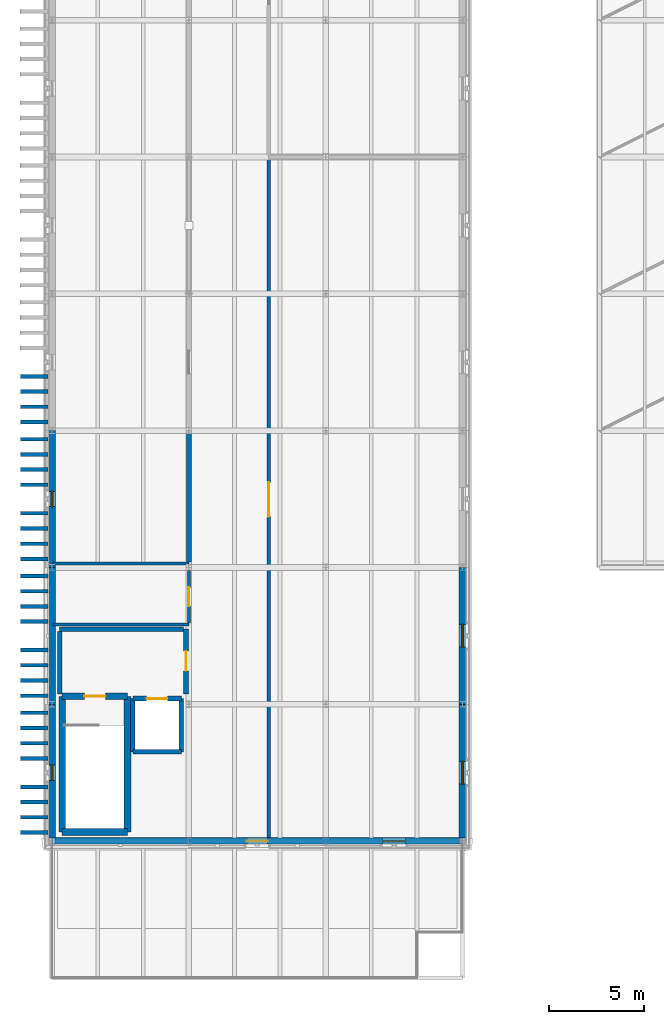
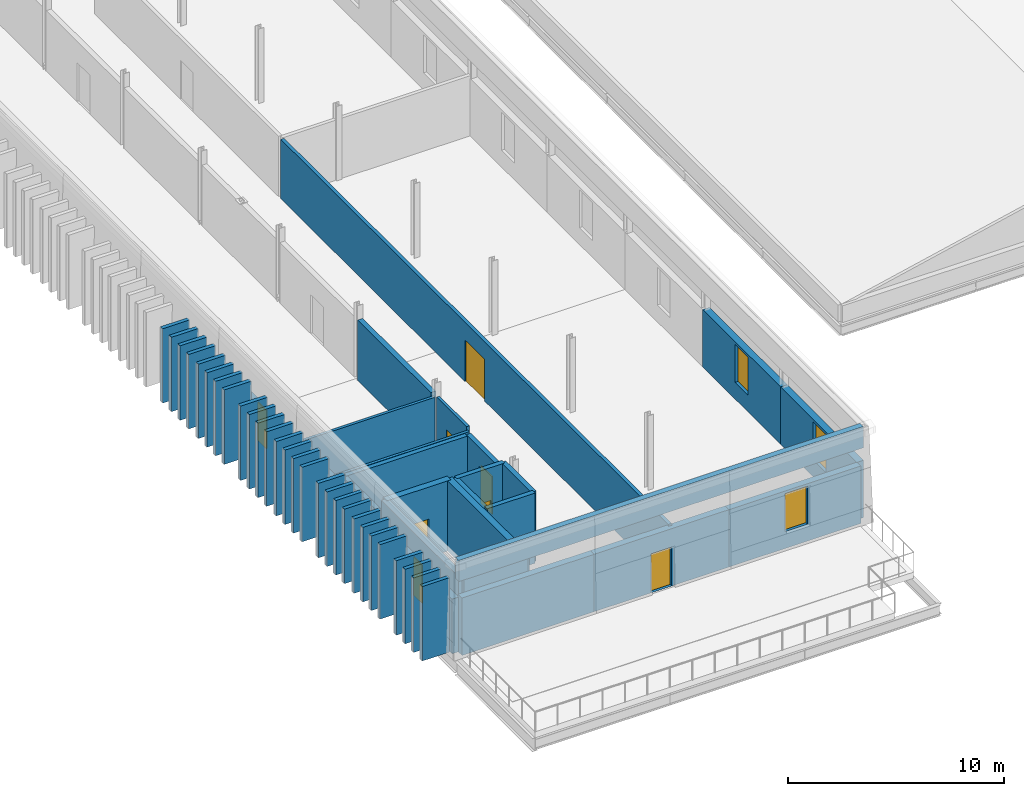
# One storey, part 31 of 44: 53 walls, 6 doors, 5 windows, 11 openings.
"""IFC4 building model written with IfcOpenShell, lengths in metres."""

from ifc_helpers import new_model, si_unit, direction, frame, frame_2d, origin, place, context, subcontext, project, spatial, rectangle, extrude, material, layer, layer_set, type_object, element, fill, save


model = new_model("IFC4")

# Units and contexts
model_context = context("Model", 3, precision=1e-05, world=origin(), true_north=direction((0.0, 1.0)))
body_context = subcontext(model_context, "Body", "Model", "MODEL_VIEW")
ifc_project = project(units=[si_unit("LENGTHUNIT", "METRE"), si_unit("AREAUNIT", "SQUARE_METRE"), si_unit("VOLUMEUNIT", "CUBIC_METRE"), si_unit("PLANEANGLEUNIT", "RADIAN"), si_unit("MASSUNIT", "GRAM", prefix="KILO")], contexts=[model_context])

# Site, building, storey
site_placement = place(None, origin())
site = spatial("IfcSite", under=ifc_project, at=site_placement, CompositionType="ELEMENT")
building_placement = place(site_placement, origin())
building = spatial("IfcBuilding", under=site, at=building_placement, Name="Narikvali Park Central Library", CompositionType="ELEMENT")
storey_placement = place(building_placement, frame((0.0, 0.0, 22.800048828125)))
storey = spatial("IfcBuildingStorey", under=building, at=storey_placement, Name="L05", CompositionType="ELEMENT", Elevation=22.800048828125)

# Wall, opening, door
ifc_material_1 = material(Name="Autoclaved Concrete Blockwork C25/30", Category="masonry")
ifc_layer_1 = layer(ifc_material_1, 0.239990234375, Name="Autoclaved Concrete Blockwork C25/30")
ifc_layer_set_1 = layer_set([ifc_layer_1], Name="Autoclaved Concrete Blockwork C25/30")
wall_type_1 = type_object("IfcWallType", Name="Fire Compartment Concrete Block Wall 240", PredefinedType="SOLIDWALL", material=ifc_layer_set_1)
wall_1_placement = place(storey_placement, frame((7.050048828125, 50.949951171875, 0.0), z_axis=(0.0, 0.0, 1.0), x_axis=(0.0, 1.0, 0.0)))
wall_1 = element("IfcWall", 1, at=wall_1_placement, inside=storey, type_object=wall_type_1, Name="C5A L05 Firefighting Lobby Wall E", PredefinedType="SOLIDWALL", context=body_context, shape_type="SweptSolid", body=[
    extrude(rectangle(XDim=3.400146484375, YDim=0.239990234375, at=frame_2d((1.7001953125, 0.0))), origin(), (0.0, 0.0, 1.0), 3.219970703125),
])
opening_1_placement = place(wall_1_placement, frame((1.199951171875, 0.0, 0.0)))
opening_1 = element("IfcOpeningElement", 2, at=opening_1_placement, cuts=wall_1, Name="Opening FF-049", PredefinedType="OPENING", context=body_context, shape_type="SweptSolid", body=[
    extrude(rectangle(XDim=1.050048828125, YDim=2.14990234375, at=frame_2d((0.52490234375, 1.074951171875))), frame((0.0, 0.1318359375, 0.0), z_axis=(0.0, -1.0, 0.0), x_axis=(1.0, 0.0, 0.0)), (0.0, 0.0, 1.0), 0.263916015625),
])
ifc_material_2 = material(Name="Powder-Coated Steel S275 Fire Leaf", Category="steel")
door_type_1 = type_object("IfcDoorType", Name="Firefighting Lobby Single Fire Door 1050x2150", OperationType="SINGLE_SWING_RIGHT", PredefinedType="DOOR", material=ifc_material_2)
door_1_placement = place(opening_1_placement, frame((1.050048828125, 0.0, 0.0), z_axis=(0.0, 0.0, 1.0), x_axis=(-1.0, 0.0, 0.0)))
door_1 = element("IfcDoor", 3, at=door_1_placement, inside=storey, type_object=door_type_1, Name="FF-01 L05 Firefighting Lobby Corridor Door", OperationType="SINGLE_SWING_RIGHT", OverallHeight=2.14990234375, OverallWidth=1.050048828125, PredefinedType="DOOR", context=body_context, shape_type="SweptSolid", body=[
    extrude(rectangle(XDim=1.050048828125, YDim=2.14990234375, at=frame_2d((0.52490234375, 1.074951171875))), frame((0.0, 0.02490234375, 0.0), z_axis=(0.0, -1.0, 0.0), x_axis=(1.0, 0.0, 0.0)), (0.0, 0.0, 1.0), 0.050048828125),
])
fill(opening_1, door_1)

# Walls
wall_2_placement = place(storey_placement, frame((0.39990234375, 54.35009765625, 0.0), z_axis=(0.0, 0.0, 1.0), x_axis=(1.0, 0.0, 0.0)))
element("IfcWall", 4, at=wall_2_placement, inside=storey, type_object=wall_type_1, Name="C5A L05 Firefighting Lobby Wall N", PredefinedType="SOLIDWALL", context=body_context, shape_type="SweptSolid", body=[
    extrude(rectangle(XDim=6.52001953125, YDim=0.239990234375, at=frame_2d((3.260009765625, 0.0))), origin(), (0.0, 0.0, 1.0), 3.219970703125),
])
wall_3_placement = place(storey_placement, frame((0.39990234375, 50.949951171875, 0.0), z_axis=(0.0, 0.0, 1.0), x_axis=(0.0, 1.0, 0.0)))
element("IfcWall", 5, at=wall_3_placement, inside=storey, type_object=wall_type_1, Name="C5A L05 Firefighting Lobby Wall W", PredefinedType="SOLIDWALL", context=body_context, shape_type="SweptSolid", body=[
    extrude(rectangle(XDim=3.27001953125, YDim=0.239990234375, at=frame_2d((1.635009765625, 0.0))), origin(), (0.0, 0.0, 1.0), 3.219970703125),
])
ifc_material_3 = material(Name="Kiln-Fired Terracotta Red Brick Masonry", Category="masonry")
ifc_layer_2 = layer(ifc_material_3, 0.199951171875, Name="Kiln-Fired Terracotta Red Brick Masonry")
ifc_layer_set_2 = layer_set([ifc_layer_2], Name="Kiln-Fired Terracotta Red Brick Masonry")
wall_type_2 = type_object("IfcWallType", Name="Kiln-Fired Red Brick Vertical Fin Wall 200", PredefinedType="SOLIDWALL", material=ifc_layer_set_2)
for number, where, z_axis, x_axis, name in (
    (6, (-1.659912109375, 43.64990234375, 0.0), (0.0, 0.0, 1.0), (1.0, 0.0, 0.0), "West Stacks Red Brick Vertical Fin Pier 078"),
    (7, (-1.659912109375, 44.449951171875, 0.0), (0.0, 0.0, 1.0), (1.0, 0.0, 0.0), "West Stacks Red Brick Vertical Fin Pier 084"),
    (8, (-1.659912109375, 45.25, 0.0), (0.0, 0.0, 1.0), (1.0, 0.0, 0.0), "West Stacks Red Brick Vertical Fin Pier 090"),
    (9, (-1.659912109375, 46.050048828125, 0.0), (0.0, 0.0, 1.0), (1.0, 0.0, 0.0), "West Stacks Red Brick Vertical Fin Pier 096"),
    (10, (-1.659912109375, 47.550048828125, 0.0), (0.0, 0.0, 1.0), (1.0, 0.0, 0.0), "West Stacks Red Brick Vertical Fin Pier 102"),
    (11, (-1.659912109375, 48.35009765625, 0.0), (0.0, 0.0, 1.0), (1.0, 0.0, 0.0), "West Stacks Red Brick Vertical Fin Pier 108"),
    (12, (-1.659912109375, 49.14990234375, 0.0), (0.0, 0.0, 1.0), (1.0, 0.0, 0.0), "West Stacks Red Brick Vertical Fin Pier 114"),
    (13, (-1.659912109375, 49.949951171875, 0.0), (0.0, 0.0, 1.0), (1.0, 0.0, 0.0), "West Stacks Red Brick Vertical Fin Pier 120"),
    (14, (-1.659912109375, 50.85009765625, 0.0), (0.0, 0.0, 1.0), (1.0, 0.0, 0.0), "West Stacks Red Brick Vertical Fin Pier 126"),
    (15, (-1.659912109375, 51.64990234375, 0.0), (0.0, 0.0, 1.0), (1.0, 0.0, 0.0), "West Stacks Red Brick Vertical Fin Pier 132"),
    (16, (-1.659912109375, 52.449951171875, 0.0), (0.0, 0.0, 1.0), (1.0, 0.0, 0.0), "West Stacks Red Brick Vertical Fin Pier 138"),
    (17, (-1.659912109375, 53.25, 0.0), (0.0, 0.0, 1.0), (1.0, 0.0, 0.0), "West Stacks Red Brick Vertical Fin Pier 144"),
    (18, (-1.659912109375, 54.75, 0.0), (0.0, 0.0, 1.0), (1.0, 0.0, 0.0), "West Stacks Red Brick Vertical Fin Pier 150"),
    (19, (-1.659912109375, 55.550048828125, 0.0), (0.0, 0.0, 1.0), (1.0, 0.0, 0.0), "West Stacks Red Brick Vertical Fin Pier 156"),
    (20, (-1.659912109375, 56.35009765625, 0.0), (0.0, 0.0, 1.0), (1.0, 0.0, 0.0), "West Stacks Red Brick Vertical Fin Pier 162"),
    (21, (-1.659912109375, 57.14990234375, 0.0), (0.0, 0.0, 1.0), (1.0, 0.0, 0.0), "West Stacks Red Brick Vertical Fin Pier 168"),
    (22, (-1.659912109375, 58.050048828125, 0.0), (0.0, 0.0, 1.0), (1.0, 0.0, 0.0), "West Stacks Red Brick Vertical Fin Pier 174"),
    (23, (-1.659912109375, 58.85009765625, 0.0), (0.0, 0.0, 1.0), (1.0, 0.0, 0.0), "West Stacks Red Brick Vertical Fin Pier 180"),
    (24, (-1.659912109375, 59.64990234375, 0.0), (0.0, 0.0, 1.0), (1.0, 0.0, 0.0), "West Stacks Red Brick Vertical Fin Pier 186"),
    (25, (-1.659912109375, 60.449951171875, 0.0), (0.0, 0.0, 1.0), (1.0, 0.0, 0.0), "West Stacks Red Brick Vertical Fin Pier 192"),
    (26, (-1.659912109375, 61.949951171875, 0.0), (0.0, 0.0, 1.0), (1.0, 0.0, 0.0), "West Stacks Red Brick Vertical Fin Pier 198"),
    (27, (-1.659912109375, 62.75, 0.0), (0.0, 0.0, 1.0), (1.0, 0.0, 0.0), "West Stacks Red Brick Vertical Fin Pier 204"),
    (28, (-1.659912109375, 63.550048828125, 0.0), (0.0, 0.0, 1.0), (1.0, 0.0, 0.0), "West Stacks Red Brick Vertical Fin Pier 210"),
    (29, (-1.659912109375, 64.35009765625, 0.0), (0.0, 0.0, 1.0), (1.0, 0.0, 0.0), "West Stacks Red Brick Vertical Fin Pier 216"),
    (30, (-1.659912109375, 65.25, 0.0), (0.0, 0.0, 1.0), (1.0, 0.0, 0.0), "West Stacks Red Brick Vertical Fin Pier 222"),
    (31, (-1.659912109375, 66.050048828125, 0.0), (0.0, 0.0, 1.0), (1.0, 0.0, 0.0), "West Stacks Red Brick Vertical Fin Pier 228"),
    (32, (-1.659912109375, 66.85009765625, 0.0), (0.0, 0.0, 1.0), (1.0, 0.0, 0.0), "West Stacks Red Brick Vertical Fin Pier 234"),
    (33, (-1.659912109375, 67.64990234375, 0.0), (0.0, 0.0, 1.0), (1.0, 0.0, 0.0), "West Stacks Red Brick Vertical Fin Pier 240"),
):
    element("IfcWall", number, at=place(storey_placement, frame(where, z_axis=z_axis, x_axis=x_axis)), inside=storey, type_object=wall_type_2, Name=name, PredefinedType="SOLIDWALL", context=body_context, shape_type="SweptSolid", body=[
        extrude(rectangle(XDim=1.43994140625, YDim=0.199951171875, at=frame_2d((0.719970703125, 0.0))), origin(), (0.0, 0.0, 1.0), 4.199951171875),
    ])
ifc_material_4 = material(Name="White Honed Limestone over Concrete C35/45", Category="masonry")
ifc_layer_3 = layer(ifc_material_4, 0.300048828125, Name="White Honed Limestone over Concrete C35/45")
ifc_layer_set_3 = layer_set([ifc_layer_3], Name="White Honed Limestone over Concrete C35/45")
wall_type_3 = type_object("IfcWallType", Name="Limestone Coping Parapet Wall 300", PredefinedType="PARAPET", material=ifc_layer_set_3)
wall_4_placement = place(storey_placement, frame((0.0, 43.199951171875, 4.199951171875), z_axis=(0.0, 0.0, 1.0), x_axis=(1.0, 0.0, 0.0)))
element("IfcWall", 34, at=wall_4_placement, inside=storey, type_object=wall_type_3, Name="V5 Roof Roof Limestone Parapet S", PredefinedType="PARAPET", context=body_context, shape_type="SweptSolid", body=[
    extrude(rectangle(XDim=21.60009765625, YDim=0.300048828125, at=frame_2d((10.800048828125, 0.0))), origin(), (0.0, 0.0, 1.0), 1.199951171875),
])
ifc_material_5 = material(Name="Moisture-Resistant Cement Board on Steel Studs", Category="steel")
ifc_layer_4 = layer(ifc_material_5, 0.14990234375, Name="Moisture-Resistant Cement Board on Steel Studs")
ifc_layer_set_4 = layer_set([ifc_layer_4], Name="Moisture-Resistant Cement Board on Steel Studs")
wall_type_4 = type_object("IfcWallType", Name="Moisture-Resistant WC Partition 150", PredefinedType="PARTITIONING", material=ifc_layer_set_4)
for number, where, z_axis, x_axis, name in (
    (35, (0.054931640625, 54.60009765625, 0.0), (0.0, 0.0, 1.0), (1.0, 0.0, 0.0), "Stacks Wing Accessible WC L05 Partition S"),
    (36, (0.054931640625, 57.800048828125, 0.0), (0.0, 0.0, 1.0), (1.0, 0.0, 0.0), "Stacks Wing Accessible WC L05 Partition N"),
):
    element("IfcWall", number, at=place(storey_placement, frame(where, z_axis=z_axis, x_axis=x_axis)), inside=storey, type_object=wall_type_4, Name=name, PredefinedType="PARTITIONING", context=body_context, shape_type="SweptSolid", body=[
        extrude(rectangle(XDim=7.14501953125, YDim=0.14990234375, at=frame_2d((3.572509765625, 0.0))), origin(), (0.0, 0.0, 1.0), 3.19189453125),
    ])

# Wall, opening, door
wall_5_placement = place(storey_placement, frame((7.199951171875, 54.677001953125, 0.0), z_axis=(0.0, 0.0, 1.0), x_axis=(0.0, 1.0, 0.0)))
wall_5 = element("IfcWall", 37, at=wall_5_placement, inside=storey, type_object=wall_type_4, Name="Stacks Wing Accessible WC L05 Partition E", PredefinedType="PARTITIONING", context=body_context, shape_type="SweptSolid", body=[
    extrude(rectangle(XDim=2.759033203125, YDim=0.14990234375, at=frame_2d((1.37939453125, 0.0))), origin(), (0.0, 0.0, 1.0), 3.405029296875),
])
opening_2_placement = place(wall_5_placement, frame((0.889404296875, 0.0, 0.0)))
opening_2 = element("IfcOpeningElement", 38, at=opening_2_placement, cuts=wall_5, Name="Opening ID-0023", PredefinedType="OPENING", context=body_context, shape_type="SweptSolid", body=[
    extrude(rectangle(XDim=0.97998046875, YDim=2.10009765625, at=frame_2d((0.489990234375, 1.050048828125))), frame((0.0, 0.0869140625, 0.0), z_axis=(0.0, -1.0, 0.0), x_axis=(1.0, 0.0, 0.0)), (0.0, 0.0, 1.0), 0.173828125),
])
ifc_material_6 = material(Name="Laminate Faced Hardwood Core", Category="wood")
door_type_2 = type_object("IfcDoorType", Name="Accessible WC Outward-Opening Door 980x2100", OperationType="SINGLE_SWING_RIGHT", PredefinedType="DOOR", material=ifc_material_6)
door_2_placement = place(opening_2_placement, frame((0.97998046875, 0.0, 0.0), z_axis=(0.0, 0.0, 1.0), x_axis=(-1.0, 0.0, 0.0)))
door_2 = element("IfcDoor", 39, at=door_2_placement, inside=storey, type_object=door_type_2, Name="Stacks Wing Accessible WC L05 Door ID-0023", OperationType="SINGLE_SWING_LEFT", OverallHeight=2.10009765625, OverallWidth=0.97998046875, PredefinedType="DOOR", context=body_context, shape_type="SweptSolid", body=[
    extrude(rectangle(XDim=0.97998046875, YDim=2.10009765625, at=frame_2d((0.489990234375, 1.050048828125))), frame((0.0, 0.02490234375, 0.0), z_axis=(0.0, -1.0, 0.0), x_axis=(1.0, 0.0, 0.0)), (0.0, 0.0, 1.0), 0.050048828125),
])
fill(opening_2, door_2)

# Wall
ifc_material_7 = material(Name="High-Density Concrete Blockwork C35/45", Category="masonry")
ifc_layer_5 = layer(ifc_material_7, 0.27001953125, Name="High-Density Concrete Blockwork C35/45")
ifc_layer_set_5 = layer_set([ifc_layer_5], Name="High-Density Concrete Blockwork C35/45")
wall_type_5 = type_object("IfcWallType", Name="Rare Books Vault Partition Wall 270", PredefinedType="SOLIDWALL", material=ifc_layer_set_5)
wall_6_placement = place(storey_placement, frame((7.199951171875, 57.876953125, 0.0), z_axis=(0.0, 0.0, 1.0), x_axis=(0.0, 1.0, 0.0)))
element("IfcWall", 40, at=wall_6_placement, inside=storey, type_object=wall_type_5, Name="Rare Books Climate Vault L05 Partition E", PredefinedType="SOLIDWALL", context=body_context, shape_type="SweptSolid", body=[
    extrude(rectangle(XDim=6.759033203125, YDim=0.27001953125, at=frame_2d((3.37939453125, 0.0))), origin(), (0.0, 0.0, 1.0), 3.405029296875),
])

# Wall, opening, door
ifc_material_8 = material(Name="Acoustic Gypsum on Steel Studs", Category="steel")
ifc_layer_6 = layer(ifc_material_8, 0.179931640625, Name="Acoustic Gypsum on Steel Studs")
ifc_layer_set_6 = layer_set([ifc_layer_6], Name="Acoustic Gypsum on Steel Studs")
wall_type_6 = type_object("IfcWallType", Name="Reading Room Acoustic Partition 180", PredefinedType="PARTITIONING", material=ifc_layer_set_6)
wall_7_placement = place(storey_placement, frame((11.39990234375, 43.2548828125, 0.0), z_axis=(0.0, 0.0, 1.0), x_axis=(0.0, 1.0, 0.0)))
wall_7 = element("IfcWall", 41, at=wall_7_placement, inside=storey, type_object=wall_type_6, Name="Rare Books Supervised Reading Room Partition W", PredefinedType="PARTITIONING", context=body_context, shape_type="SweptSolid", body=[
    extrude(rectangle(XDim=35.84814453125, YDim=0.179931640625, at=frame_2d((17.924072265625, 0.0))), origin(), (0.0, 0.0, 1.0), 3.344970703125),
])
opening_3_placement = place(wall_7_placement, frame((17.02392578125, 0.0, 0.0)))
opening_3 = element("IfcOpeningElement", 42, at=opening_3_placement, cuts=wall_7, Name="Opening ID-0139", PredefinedType="OPENING", context=body_context, shape_type="SweptSolid", body=[
    extrude(rectangle(XDim=1.800048828125, YDim=2.35009765625, at=frame_2d((0.89990234375, 1.175048828125))), frame((0.0, 0.10205078125, 0.0), z_axis=(0.0, -1.0, 0.0), x_axis=(1.0, 0.0, 0.0)), (0.0, 0.0, 1.0), 0.203857421875),
])
ifc_material_9 = material(Name="Solid Caucasian Oak and Acoustic Glass", Category="glass")
door_type_3 = type_object("IfcDoorType", Name="Reading Hall Double Oak Acoustic Door 1800x2350", OperationType="DOUBLE_DOOR_SINGLE_SWING", PredefinedType="DOOR", material=ifc_material_9)
door_3_placement = place(opening_3_placement, frame((1.800048828125, 0.0, 0.0), z_axis=(0.0, 0.0, 1.0), x_axis=(-1.0, 0.0, 0.0)))
door_3 = element("IfcDoor", 43, at=door_3_placement, inside=storey, type_object=door_type_3, Name="Rare Books Supervised Reading Room Door ID-0139", OperationType="DOUBLE_DOOR_SINGLE_SWING", OverallHeight=2.35009765625, OverallWidth=1.800048828125, PredefinedType="DOOR", context=body_context, shape_type="SweptSolid", body=[
    extrude(rectangle(XDim=1.800048828125, YDim=2.35009765625, at=frame_2d((0.89990234375, 1.175048828125))), frame((0.0, 0.02490234375, 0.0), z_axis=(0.0, -1.0, 0.0), x_axis=(1.0, 0.0, 0.0)), (0.0, 0.0, 1.0), 0.050048828125),
])
fill(opening_3, door_3)

# Walls
ifc_material_10 = material(Name="Concrete C40/50", Category="concrete")
ifc_layer_7 = layer(ifc_material_10, 0.35009765625, Name="Concrete C40/50")
ifc_layer_set_7 = layer_set([ifc_layer_7], Name="Concrete C40/50")
wall_type_7 = type_object("IfcWallType", Name="Reinforced Concrete Core Shear Wall 350", PredefinedType="SHEAR", material=ifc_layer_set_7)
wall_8_placement = place(storey_placement, frame((0.530029296875, 43.679931640625, 0.0), z_axis=(0.0, 0.0, 1.0), x_axis=(1.0, 0.0, 0.0)))
element("IfcWall", 44, at=wall_8_placement, inside=storey, type_object=wall_type_7, Name="C5A L05 Stair Core Shear Wall S", PredefinedType="SHEAR", context=body_context, shape_type="SweptSolid", body=[
    extrude(rectangle(XDim=3.43994140625, YDim=0.35009765625, at=frame_2d((1.719970703125, 0.0))), origin(), (0.0, 0.0, 1.0), 3.9599609375),
])
wall_9_placement = place(storey_placement, frame((3.969970703125, 43.679931640625, 0.0), z_axis=(0.0, 0.0, 1.0), x_axis=(0.0, 1.0, 0.0)))
element("IfcWall", 45, at=wall_9_placement, inside=storey, type_object=wall_type_7, Name="C5A L05 Stair Core Shear Wall E", PredefinedType="SHEAR", context=body_context, shape_type="SweptSolid", body=[
    extrude(rectangle(XDim=7.14013671875, YDim=0.35009765625, at=frame_2d((3.570068359375, 0.0))), origin(), (0.0, 0.0, 1.0), 3.9599609375),
])

# Wall, opening, door
wall_10_placement = place(storey_placement, frame((3.969970703125, 50.820068359375, 0.0), z_axis=(0.0, 0.0, 1.0), x_axis=(-1.0, 0.0, 0.0)))
wall_10 = element("IfcWall", 46, at=wall_10_placement, inside=storey, type_object=wall_type_7, Name="C5A L05 Stair Core Shear Wall N", PredefinedType="SHEAR", context=body_context, shape_type="SweptSolid", body=[
    extrude(rectangle(XDim=3.43994140625, YDim=0.35009765625, at=frame_2d((1.719970703125, 0.0))), origin(), (0.0, 0.0, 1.0), 3.9599609375),
])
opening_4_placement = place(wall_10_placement, frame((1.169921875, 0.0, 0.0)))
opening_4 = element("IfcOpeningElement", 47, at=opening_4_placement, cuts=wall_10, Name="Opening SD-048", PredefinedType="OPENING", context=body_context, shape_type="SweptSolid", body=[
    extrude(rectangle(XDim=1.10009765625, YDim=2.14990234375, at=frame_2d((0.550048828125, 1.074951171875))), frame((0.0, 0.18701171875, 0.0), z_axis=(0.0, -1.0, 0.0), x_axis=(1.0, 0.0, 0.0)), (0.0, 0.0, 1.0), 0.3740234375),
])
door_type_4 = type_object("IfcDoorType", Name="Stair Core Smoke-Control Fire Door 1100x2150", OperationType="SINGLE_SWING_LEFT", PredefinedType="DOOR", material=ifc_material_2)
door_4_placement = place(opening_4_placement, frame((1.10009765625, 0.0, 0.0), z_axis=(0.0, 0.0, 1.0), x_axis=(-1.0, 0.0, 0.0)))
door_4 = element("IfcDoor", 48, at=door_4_placement, inside=storey, type_object=door_type_4, Name="ST-09 L05 Stair Exit Door SD-048", OperationType="SINGLE_SWING_RIGHT", OverallHeight=2.14990234375, OverallWidth=1.10009765625, PredefinedType="DOOR", context=body_context, shape_type="SweptSolid", body=[
    extrude(rectangle(XDim=1.10009765625, YDim=2.14990234375, at=frame_2d((0.550048828125, 1.074951171875))), frame((0.0, 0.02490234375, 0.0), z_axis=(0.0, -1.0, 0.0), x_axis=(1.0, 0.0, 0.0)), (0.0, 0.0, 1.0), 0.050048828125),
])
fill(opening_4, door_4)

# Walls
wall_11_placement = place(storey_placement, frame((0.530029296875, 50.820068359375, 0.0), z_axis=(0.0, 0.0, 1.0), x_axis=(0.0, -1.0, 0.0)))
element("IfcWall", 49, at=wall_11_placement, inside=storey, type_object=wall_type_7, Name="C5A L05 Stair Core Shear Wall W", PredefinedType="SHEAR", context=body_context, shape_type="SweptSolid", body=[
    extrude(rectangle(XDim=7.14013671875, YDim=0.35009765625, at=frame_2d((3.570068359375, 0.0))), origin(), (0.0, 0.0, 1.0), 3.9599609375),
])
ifc_layer_8 = layer(ifc_material_10, 0.25, Name="Concrete C40/50")
ifc_layer_set_8 = layer_set([ifc_layer_8], Name="Concrete C40/50")
wall_type_8 = type_object("IfcWallType", Name="Reinforced Concrete Lift Shaft Wall 250", PredefinedType="SHEAR", material=ifc_layer_set_8)
wall_12_placement = place(storey_placement, frame((4.25, 47.89990234375, 0.0), z_axis=(0.0, 0.0, 1.0), x_axis=(1.0, 0.0, 0.0)))
element("IfcWall", 50, at=wall_12_placement, inside=storey, type_object=wall_type_8, Name="FF-01 L05 Lift Shaft Wall S", PredefinedType="SHEAR", context=body_context, shape_type="SweptSolid", body=[
    extrude(rectangle(XDim=2.550048828125, YDim=0.25, at=frame_2d((1.27490234375, 0.0))), origin(), (0.0, 0.0, 1.0), 3.9599609375),
])
wall_13_placement = place(storey_placement, frame((6.800048828125, 47.89990234375, 0.0), z_axis=(0.0, 0.0, 1.0), x_axis=(0.0, 1.0, 0.0)))
element("IfcWall", 51, at=wall_13_placement, inside=storey, type_object=wall_type_8, Name="FF-01 L05 Lift Shaft Wall E", PredefinedType="SHEAR", context=body_context, shape_type="SweptSolid", body=[
    extrude(rectangle(XDim=2.800048828125, YDim=0.25, at=frame_2d((1.39990234375, 0.0))), origin(), (0.0, 0.0, 1.0), 3.9599609375),
])

# Wall, opening, door
wall_14_placement = place(storey_placement, frame((6.800048828125, 50.699951171875, 0.0), z_axis=(0.0, 0.0, 1.0), x_axis=(-1.0, 0.0, 0.0)))
wall_14 = element("IfcWall", 52, at=wall_14_placement, inside=storey, type_object=wall_type_8, Name="FF-01 L05 Lift Shaft Wall N", PredefinedType="SHEAR", context=body_context, shape_type="SweptSolid", body=[
    extrude(rectangle(XDim=2.550048828125, YDim=0.25, at=frame_2d((1.27490234375, 0.0))), origin(), (0.0, 0.0, 1.0), 3.9599609375),
])
opening_5_placement = place(wall_14_placement, frame((0.72509765625, 0.0, 0.0)))
opening_5 = element("IfcOpeningElement", 53, at=opening_5_placement, cuts=wall_14, Name="Opening LD-040", PredefinedType="OPENING", context=body_context, shape_type="SweptSolid", body=[
    extrude(rectangle(XDim=1.10009765625, YDim=2.10009765625, at=frame_2d((0.550048828125, 1.050048828125))), frame((0.0, 0.136962890625, 0.0), z_axis=(0.0, -1.0, 0.0), x_axis=(1.0, 0.0, 0.0)), (0.0, 0.0, 1.0), 0.27392578125),
])
ifc_material_11 = material(Name="Brushed Stainless Steel S355", Category="steel")
door_type_5 = type_object("IfcDoorType", Name="Firefighting Lift Sliding Landing Door 1100x2100", OperationType="SLIDING_TO_RIGHT", PredefinedType="DOOR", material=ifc_material_11)
door_5_placement = place(opening_5_placement, origin())
door_5 = element("IfcDoor", 54, at=door_5_placement, inside=storey, type_object=door_type_5, Name="FF-01 L05 Lift Landing Sliding Door LD-040", OperationType="SLIDING_TO_RIGHT", OverallHeight=2.10009765625, OverallWidth=1.10009765625, PredefinedType="DOOR", context=body_context, shape_type="SweptSolid", body=[
    extrude(rectangle(XDim=1.10009765625, YDim=2.10009765625, at=frame_2d((0.550048828125, 1.050048828125))), frame((0.0, 0.02490234375, 0.0), z_axis=(0.0, -1.0, 0.0), x_axis=(1.0, 0.0, 0.0)), (0.0, 0.0, 1.0), 0.050048828125),
])
fill(opening_5, door_5)

# Walls
wall_15_placement = place(storey_placement, frame((4.25, 50.699951171875, 0.0), z_axis=(0.0, 0.0, 1.0), x_axis=(0.0, -1.0, 0.0)))
element("IfcWall", 55, at=wall_15_placement, inside=storey, type_object=wall_type_8, Name="FF-01 L05 Lift Shaft Wall W", PredefinedType="SHEAR", context=body_context, shape_type="SweptSolid", body=[
    extrude(rectangle(XDim=2.800048828125, YDim=0.25, at=frame_2d((1.39990234375, 0.0))), origin(), (0.0, 0.0, 1.0), 3.9599609375),
])
ifc_layer_9 = layer(ifc_material_4, 0.360107421875, Name="White Honed Limestone over Concrete C35/45")
ifc_layer_set_9 = layer_set([ifc_layer_9], Name="White Honed Limestone over Concrete C35/45")
wall_type_9 = type_object("IfcWallType", Name="White Limestone Attic Clerestory Wall 360", PredefinedType="SOLIDWALL", material=ifc_layer_set_9)
wall_16_placement = place(storey_placement, frame((0.154052734375, 43.199951171875, 0.0), z_axis=(0.0, 0.0, 1.0), x_axis=(1.0, 0.0, 0.0)))
element("IfcWall", 56, at=wall_16_placement, inside=storey, type_object=wall_type_9, Name="V5 L05 S Exterior Limestone Wall B01", PredefinedType="SOLIDWALL", context=body_context, shape_type="SweptSolid", body=[
    extrude(rectangle(XDim=7.0458984375, YDim=0.360107421875, at=frame_2d((3.52294921875, 0.0))), origin(), (0.0, 0.0, 1.0), 3.239990234375),
])

# Wall, opening, door
wall_17_placement = place(storey_placement, frame((7.199951171875, 43.199951171875, 0.0), z_axis=(0.0, 0.0, 1.0), x_axis=(1.0, 0.0, 0.0)))
wall_17 = element("IfcWall", 57, at=wall_17_placement, inside=storey, type_object=wall_type_9, Name="V5 L05 S Exterior Limestone Wall B02", PredefinedType="SOLIDWALL", context=body_context, shape_type="SweptSolid", body=[
    extrude(rectangle(XDim=7.199951171875, YDim=0.360107421875, at=frame_2d((3.60009765625, 0.0))), origin(), (0.0, 0.0, 1.0), 3.239990234375),
])
opening_6_placement = place(wall_17_placement, frame((3.050048828125, 0.0, 0.0)))
opening_6 = element("IfcOpeningElement", 58, at=opening_6_placement, cuts=wall_17, Name="Opening ED-046", PredefinedType="OPENING", context=body_context, shape_type="SweptSolid", body=[
    extrude(rectangle(XDim=1.10009765625, YDim=2.199951171875, at=frame_2d((0.550048828125, 1.10009765625))), frame((0.0, 0.19189453125, 0.0), z_axis=(0.0, -1.0, 0.0), x_axis=(1.0, 0.0, 0.0)), (0.0, 0.0, 1.0), 0.384033203125),
])
ifc_material_12 = material(Name="Anodised Architectural Bronze and Tempered Glass", Category="glass")
door_type_6 = type_object("IfcDoorType", Name="Roof Garden Terrace Glazed Door 1100x2200", OperationType="SINGLE_SWING_LEFT", PredefinedType="DOOR", material=ifc_material_12)
door_6_placement = place(opening_6_placement, frame((1.10009765625, 0.0, 0.0), z_axis=(0.0, 0.0, 1.0), x_axis=(-1.0, 0.0, 0.0)))
door_6 = element("IfcDoor", 59, at=door_6_placement, inside=storey, type_object=door_type_6, Name="V5 L05 Planted Roof Garden Access Door ED-046", OperationType="SINGLE_SWING_LEFT", OverallHeight=2.199951171875, OverallWidth=1.10009765625, PredefinedType="DOOR", context=body_context, shape_type="SweptSolid", body=[
    extrude(rectangle(XDim=1.10009765625, YDim=2.199951171875, at=frame_2d((0.550048828125, 1.10009765625))), frame((0.0, 0.02490234375, 0.0), z_axis=(0.0, -1.0, 0.0), x_axis=(1.0, 0.0, 0.0)), (0.0, 0.0, 1.0), 0.050048828125),
])
fill(opening_6, door_6)

# Wall, opening, window
wall_18_placement = place(storey_placement, frame((14.39990234375, 43.199951171875, 0.0), z_axis=(0.0, 0.0, 1.0), x_axis=(1.0, 0.0, 0.0)))
wall_18 = element("IfcWall", 60, at=wall_18_placement, inside=storey, type_object=wall_type_9, Name="V5 L05 S Exterior Limestone Wall B03", PredefinedType="SOLIDWALL", context=body_context, shape_type="SweptSolid", body=[
    extrude(rectangle(XDim=7.046142578125, YDim=0.360107421875, at=frame_2d((3.52294921875, 0.0))), origin(), (0.0, 0.0, 1.0), 3.239990234375),
])
opening_7_placement = place(wall_18_placement, frame((3.0, 0.0, 0.949951171875)))
opening_7 = element("IfcOpeningElement", 61, at=opening_7_placement, cuts=wall_18, Name="Opening WIN-0328", PredefinedType="OPENING", context=body_context, shape_type="SweptSolid", body=[
    extrude(rectangle(XDim=1.199951171875, YDim=2.14990234375, at=frame_2d((0.60009765625, 1.074951171875))), frame((0.0, 0.19189453125, 0.0), z_axis=(0.0, -1.0, 0.0), x_axis=(1.0, 0.0, 0.0)), (0.0, 0.0, 1.0), 0.384033203125),
])
ifc_material_13 = material(Name="Anodised Bronze Aluminium and Low-E Triple Glazing", Category="aluminium")
window_type_1 = type_object("IfcWindowType", Name="Stacks Archive Deep-Reveal Punched Window 1200x2150", PartitioningType="SINGLE_PANEL", PredefinedType="WINDOW", material=ifc_material_13)
window_1_placement = place(opening_7_placement, origin())
window_1 = element("IfcWindow", 62, at=window_1_placement, inside=storey, type_object=window_type_1, Name="V5 L05 S Deep-Reveal Window WIN-0328", OverallHeight=2.14990234375, OverallWidth=1.199951171875, PartitioningType="SINGLE_PANEL", PredefinedType="WINDOW", context=body_context, shape_type="SweptSolid", body=[
    extrude(rectangle(XDim=1.199951171875, YDim=2.14990234375, at=frame_2d((0.60009765625, 1.074951171875))), frame((0.0, 0.030029296875, 0.0), z_axis=(0.0, -1.0, 0.0), x_axis=(1.0, 0.0, 0.0)), (0.0, 0.0, 1.0), 0.06005859375),
])
fill(opening_7, window_1)

wall_19_placement = place(storey_placement, frame((21.60009765625, 43.364013671875, 0.0), z_axis=(0.0, 0.0, 1.0), x_axis=(0.0, 1.0, 0.0)))
wall_19 = element("IfcWall", 63, at=wall_19_placement, inside=storey, type_object=wall_type_9, Name="V5 L05 E Exterior Limestone Wall B01", PredefinedType="SOLIDWALL", context=body_context, shape_type="SweptSolid", body=[
    extrude(rectangle(XDim=7.035888671875, YDim=0.360107421875, at=frame_2d((3.51806640625, 0.0))), origin(), (0.0, 0.0, 1.0), 3.239990234375),
])
opening_8_placement = place(wall_19_placement, frame((2.8359375, 0.0, 0.949951171875)))
opening_8 = element("IfcOpeningElement", 64, at=opening_8_placement, cuts=wall_19, Name="Opening WIN-0329", PredefinedType="OPENING", context=body_context, shape_type="SweptSolid", body=[
    extrude(rectangle(XDim=1.199951171875, YDim=2.14990234375, at=frame_2d((0.60009765625, 1.074951171875))), frame((0.0, 0.19189453125, 0.0), z_axis=(0.0, -1.0, 0.0), x_axis=(1.0, 0.0, 0.0)), (0.0, 0.0, 1.0), 0.384033203125),
])
window_2_placement = place(opening_8_placement, origin())
window_2 = element("IfcWindow", 65, at=window_2_placement, inside=storey, type_object=window_type_1, Name="V5 L05 E Deep-Reveal Window WIN-0329", OverallHeight=2.14990234375, OverallWidth=1.199951171875, PartitioningType="SINGLE_PANEL", PredefinedType="WINDOW", context=body_context, shape_type="SweptSolid", body=[
    extrude(rectangle(XDim=1.199951171875, YDim=2.14990234375, at=frame_2d((0.60009765625, 1.074951171875))), frame((0.0, 0.030029296875, 0.0), z_axis=(0.0, -1.0, 0.0), x_axis=(1.0, 0.0, 0.0)), (0.0, 0.0, 1.0), 0.06005859375),
])
fill(opening_8, window_2)

wall_20_placement = place(storey_placement, frame((21.60009765625, 50.39990234375, 0.0), z_axis=(0.0, 0.0, 1.0), x_axis=(0.0, 1.0, 0.0)))
wall_20 = element("IfcWall", 66, at=wall_20_placement, inside=storey, type_object=wall_type_9, Name="V5 L05 E Exterior Limestone Wall B02", PredefinedType="SOLIDWALL", context=body_context, shape_type="SweptSolid", body=[
    extrude(rectangle(XDim=7.2001953125, YDim=0.360107421875, at=frame_2d((3.60009765625, 0.0))), origin(), (0.0, 0.0, 1.0), 3.239990234375),
])
opening_9_placement = place(wall_20_placement, frame((3.0, 0.0, 0.949951171875)))
opening_9 = element("IfcOpeningElement", 67, at=opening_9_placement, cuts=wall_20, Name="Opening WIN-0330", PredefinedType="OPENING", context=body_context, shape_type="SweptSolid", body=[
    extrude(rectangle(XDim=1.199951171875, YDim=2.14990234375, at=frame_2d((0.60009765625, 1.074951171875))), frame((0.0, 0.19189453125, 0.0), z_axis=(0.0, -1.0, 0.0), x_axis=(1.0, 0.0, 0.0)), (0.0, 0.0, 1.0), 0.384033203125),
])
window_3_placement = place(opening_9_placement, origin())
window_3 = element("IfcWindow", 68, at=window_3_placement, inside=storey, type_object=window_type_1, Name="V5 L05 E Deep-Reveal Window WIN-0330", OverallHeight=2.14990234375, OverallWidth=1.199951171875, PartitioningType="SINGLE_PANEL", PredefinedType="WINDOW", context=body_context, shape_type="SweptSolid", body=[
    extrude(rectangle(XDim=1.199951171875, YDim=2.14990234375, at=frame_2d((0.60009765625, 1.074951171875))), frame((0.0, 0.030029296875, 0.0), z_axis=(0.0, -1.0, 0.0), x_axis=(1.0, 0.0, 0.0)), (0.0, 0.0, 1.0), 0.06005859375),
])
fill(opening_9, window_3)

wall_21_placement = place(storey_placement, frame((0.0, 64.800048828125, 0.0), z_axis=(0.0, 0.0, 1.0), x_axis=(0.0, -1.0, 0.0)))
wall_21 = element("IfcWall", 69, at=wall_21_placement, inside=storey, type_object=wall_type_9, Name="V5 L05 W Exterior Limestone Wall B07", PredefinedType="SOLIDWALL", context=body_context, shape_type="SweptSolid", body=[
    extrude(rectangle(XDim=7.199951171875, YDim=0.360107421875, at=frame_2d((3.60009765625, 0.0))), origin(), (0.0, 0.0, 1.0), 3.079833984375),
])
opening_10_placement = place(wall_21_placement, frame((3.199951171875, 0.0, 0.949951171875)))
opening_10 = element("IfcOpeningElement", 70, at=opening_10_placement, cuts=wall_21, Name="Opening WIN-0345", PredefinedType="OPENING", context=body_context, shape_type="SweptSolid", body=[
    extrude(rectangle(XDim=0.800048828125, YDim=2.14990234375, at=frame_2d((0.39990234375, 1.074951171875))), frame((0.0, 0.19189453125, 0.0), z_axis=(0.0, -1.0, 0.0), x_axis=(1.0, 0.0, 0.0)), (0.0, 0.0, 1.0), 0.384033203125),
])
window_type_2 = type_object("IfcWindowType", Name="West Fin-Bay Narrow Carrel Slot Window 800x2150", PartitioningType="SINGLE_PANEL", PredefinedType="WINDOW", material=ifc_material_13)
window_4_placement = place(opening_10_placement, origin())
window_4 = element("IfcWindow", 71, at=window_4_placement, inside=storey, type_object=window_type_2, Name="V5 L05 W Deep-Reveal Window WIN-0345", OverallHeight=2.14990234375, OverallWidth=0.800048828125, PartitioningType="SINGLE_PANEL", PredefinedType="WINDOW", context=body_context, shape_type="SweptSolid", body=[
    extrude(rectangle(XDim=0.800048828125, YDim=2.14990234375, at=frame_2d((0.39990234375, 1.074951171875))), frame((0.0, 0.030029296875, 0.0), z_axis=(0.0, -1.0, 0.0), x_axis=(1.0, 0.0, 0.0)), (0.0, 0.0, 1.0), 0.06005859375),
])
fill(opening_10, window_4)

# Wall
wall_22_placement = place(storey_placement, frame((0.0, 57.60009765625, 0.0), z_axis=(0.0, 0.0, 1.0), x_axis=(0.0, -1.0, 0.0)))
element("IfcWall", 72, at=wall_22_placement, inside=storey, type_object=wall_type_9, Name="V5 L05 W Exterior Limestone Wall B08", PredefinedType="SOLIDWALL", context=body_context, shape_type="SweptSolid", body=[
    extrude(rectangle(XDim=7.2001953125, YDim=0.360107421875, at=frame_2d((3.60009765625, 0.0))), origin(), (0.0, 0.0, 1.0), 3.079833984375),
])

# Wall, opening, window
wall_23_placement = place(storey_placement, frame((0.0, 50.39990234375, 0.0), z_axis=(0.0, 0.0, 1.0), x_axis=(0.0, -1.0, 0.0)))
wall_23 = element("IfcWall", 73, at=wall_23_placement, inside=storey, type_object=wall_type_9, Name="V5 L05 W Exterior Limestone Wall B09", PredefinedType="SOLIDWALL", context=body_context, shape_type="SweptSolid", body=[
    extrude(rectangle(XDim=7.035888671875, YDim=0.360107421875, at=frame_2d((3.51806640625, 0.0))), origin(), (0.0, 0.0, 1.0), 3.079833984375),
])
opening_11_placement = place(wall_23_placement, frame((3.199951171875, 0.0, 0.949951171875)))
opening_11 = element("IfcOpeningElement", 74, at=opening_11_placement, cuts=wall_23, Name="Opening WIN-0346", PredefinedType="OPENING", context=body_context, shape_type="SweptSolid", body=[
    extrude(rectangle(XDim=0.800048828125, YDim=2.14990234375, at=frame_2d((0.39990234375, 1.074951171875))), frame((0.0, 0.19189453125, 0.0), z_axis=(0.0, -1.0, 0.0), x_axis=(1.0, 0.0, 0.0)), (0.0, 0.0, 1.0), 0.384033203125),
])
window_5_placement = place(opening_11_placement, origin())
window_5 = element("IfcWindow", 75, at=window_5_placement, inside=storey, type_object=window_type_2, Name="V5 L05 W Deep-Reveal Window WIN-0346", OverallHeight=2.14990234375, OverallWidth=0.800048828125, PartitioningType="SINGLE_PANEL", PredefinedType="WINDOW", context=body_context, shape_type="SweptSolid", body=[
    extrude(rectangle(XDim=0.800048828125, YDim=2.14990234375, at=frame_2d((0.39990234375, 1.074951171875))), frame((0.0, 0.030029296875, 0.0), z_axis=(0.0, -1.0, 0.0), x_axis=(1.0, 0.0, 0.0)), (0.0, 0.0, 1.0), 0.06005859375),
])
fill(opening_11, window_5)

save(model, "model.ifc")
